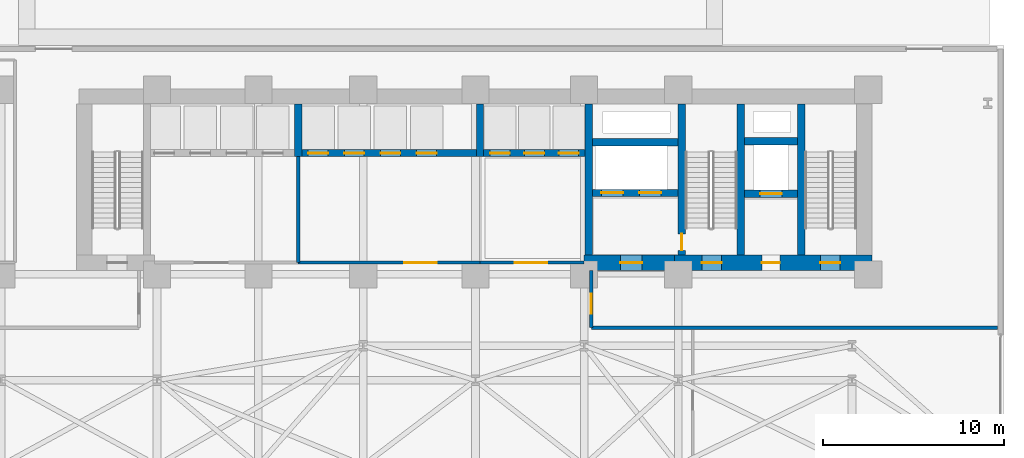
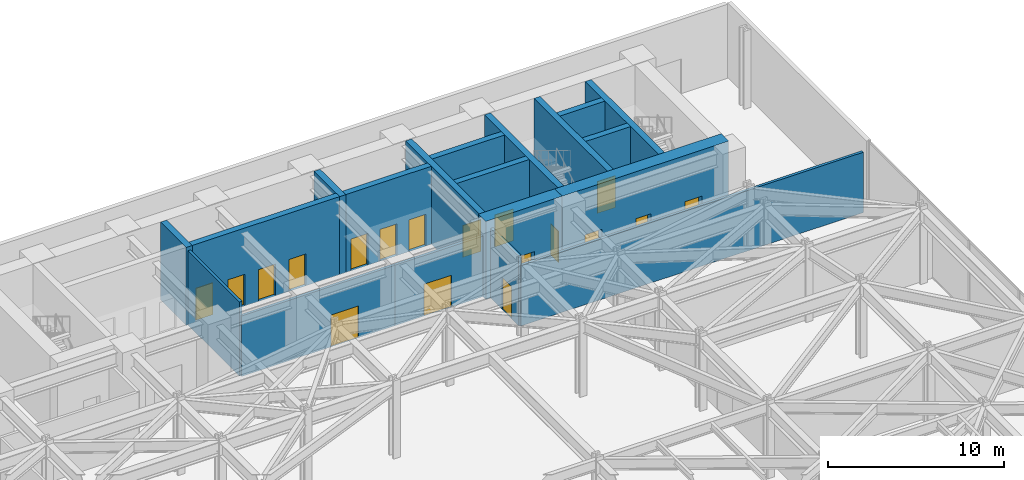
# One storey, part 26 of 31: 19 walls, 18 doors, 18 openings.
"""IFC4 building model written with IfcOpenShell, lengths in metres."""

from ifc_helpers import new_model, si_unit, direction, frame, frame_2d, origin, place, context, subcontext, project, spatial, rectangle, extrude, material, layer, layer_set, type_object, element, fill, save


model = new_model("IFC4")

# Units and contexts
model_context = context("Model", 3, precision=1e-05, world=origin(), true_north=direction((0.0, 1.0)))
body_context = subcontext(model_context, "Body", "Model", "MODEL_VIEW")
ifc_project = project(units=[si_unit("LENGTHUNIT", "METRE"), si_unit("AREAUNIT", "SQUARE_METRE"), si_unit("VOLUMEUNIT", "CUBIC_METRE"), si_unit("PLANEANGLEUNIT", "RADIAN"), si_unit("MASSUNIT", "GRAM", prefix="KILO")], contexts=[model_context])

# Site, building, storey
site_placement = place(None, origin())
site = spatial("IfcSite", under=ifc_project, at=site_placement, CompositionType="ELEMENT")
building_placement = place(site_placement, origin())
building = spatial("IfcBuilding", under=site, at=building_placement, Name="Kravanh Interchange Tower", CompositionType="ELEMENT")
storey_placement = place(building_placement, origin())
storey = spatial("IfcBuildingStorey", under=building, at=storey_placement, Name="L00", CompositionType="ELEMENT", Elevation=0.0)

# Walls
ifc_material_1 = material(Name="Concrete C80/95", Category="concrete")
ifc_layer_1 = layer(ifc_material_1, 0.39990234375)
ifc_layer_set_1 = layer_set([ifc_layer_1], Name="Core Shear Wall Concrete C80/95 400mm")
wall_type_1 = type_object("IfcWallType", Name="Core Shear Wall Concrete C80/95 400mm", PredefinedType="SHEAR", material=ifc_layer_set_1)
for number, where, z_axis, x_axis, name in (
    (1, (62.800048828125, 38.425048828125, 0.0), (0.0, 0.0, 1.0), (0.0, 1.0, 0.0), "L00 Stair ST1 West Shear Wall"),
    (2, (59.449951171875, 38.425048828125, 0.0), (0.0, 0.0, 1.0), (0.0, 1.0, 0.0), "L00 Stair ST2 East Shear Wall"),
):
    element("IfcWall", number, at=place(storey_placement, frame(where, z_axis=z_axis, x_axis=x_axis)), inside=storey, type_object=wall_type_1, Name=name, PredefinedType="SHEAR", context=body_context, shape_type="SweptSolid", body=[
        extrude(rectangle(XDim=8.324951171875, YDim=0.39990234375, at=frame_2d((4.16259765625, 0.0))), origin(), (0.0, 0.0, 1.0), 5.39990234375),
    ])

# Wall, opening, door
wall_1_placement = place(storey_placement, frame((56.199951171875, 38.425048828125, 0.0), z_axis=(0.0, 0.0, 1.0), x_axis=(0.0, 1.0, 0.0)))
wall_1 = element("IfcWall", 3, at=wall_1_placement, inside=storey, type_object=wall_type_1, Name="L00 Stair ST2 West Shear Wall", PredefinedType="SHEAR", context=body_context, shape_type="SweptSolid", body=[
    extrude(rectangle(XDim=8.324951171875, YDim=0.39990234375, at=frame_2d((4.16259765625, 0.0))), origin(), (0.0, 0.0, 1.0), 5.39990234375),
])
opening_1_placement = place(wall_1_placement, frame((0.2548828125, 0.0, 0.0)))
opening_1 = element("IfcOpeningElement", 4, at=opening_1_placement, cuts=wall_1, Name="Opening D-STAIR-90", PredefinedType="OPENING", context=body_context, shape_type="SweptSolid", body=[
    extrude(rectangle(XDim=0.89990234375, YDim=2.14990234375, at=frame_2d((0.449951171875, 1.074951171875))), frame((0.0, 0.2099609375, 0.0), z_axis=(0.0, -1.0, 0.0), x_axis=(1.0, 0.0, 0.0)), (0.0, 0.0, 1.0), 0.419921875),
])
ifc_material_2 = material(Name="Structural Steel S355", Category="steel")
door_type_1 = type_object("IfcDoorType", Name="Fire-Rated Stair Lobby Door 900x2150", OperationType="NOTDEFINED", PredefinedType="DOOR", material=ifc_material_2)
door_1_placement = place(opening_1_placement, origin())
door_1 = element("IfcDoor", 5, at=door_1_placement, inside=storey, type_object=door_type_1, Name="L00 Firefighting Lobby to Stair ST2 Door", OperationType="SINGLE_SWING_LEFT", OverallHeight=2.14990234375, OverallWidth=0.89990234375, PredefinedType="DOOR", context=body_context, shape_type="SweptSolid", body=[
    extrude(rectangle(XDim=0.89990234375, YDim=2.14990234375, at=frame_2d((0.449951171875, 1.074951171875))), frame((0.0, 0.02490234375, 0.0), z_axis=(0.0, -1.0, 0.0), x_axis=(1.0, 0.0, 0.0)), (0.0, 0.0, 1.0), 0.050048828125),
])
fill(opening_1, door_1)

wall_2_placement = place(storey_placement, frame((59.64990234375, 41.800048828125, 0.0), z_axis=(0.0, 0.0, 1.0), x_axis=(1.0, 0.0, 0.0)))
wall_2 = element("IfcWall", 6, at=wall_2_placement, inside=storey, type_object=wall_type_1, Name="L00 Service Lift Shaft South Wall", PredefinedType="SHEAR", context=body_context, shape_type="SweptSolid", body=[
    extrude(rectangle(XDim=2.9501953125, YDim=0.39990234375, at=frame_2d((1.47509765625, 0.0))), origin(), (0.0, 0.0, 1.0), 5.39990234375),
])
opening_2_placement = place(wall_2_placement, frame((0.8701171875, 0.0, 0.0)))
opening_2 = element("IfcOpeningElement", 7, at=opening_2_placement, cuts=wall_2, Name="Opening LD02", PredefinedType="OPENING", context=body_context, shape_type="SweptSolid", body=[
    extrude(rectangle(XDim=1.199951171875, YDim=2.199951171875, at=frame_2d((0.60009765625, 1.10009765625))), frame((0.0, 0.2099609375, 0.0), z_axis=(0.0, -1.0, 0.0), x_axis=(1.0, 0.0, 0.0)), (0.0, 0.0, 1.0), 0.419921875),
])
ifc_material_3 = material(Name="Stainless Steel 316", Category="steel")
door_type_2 = type_object("IfcDoorType", Name="Fire and Service Lift Sliding Landing Door 1200x2200", OperationType="DOUBLE_DOOR_SLIDING", PredefinedType="DOOR", material=ifc_material_3)
door_2_placement = place(opening_2_placement, origin())
door_2 = element("IfcDoor", 8, at=door_2_placement, inside=storey, type_object=door_type_2, Name="L00 Lift LS-01 Landing Door", OperationType="DOUBLE_DOOR_SLIDING", OverallHeight=2.199951171875, OverallWidth=1.199951171875, PredefinedType="DOOR", context=body_context, shape_type="SweptSolid", body=[
    extrude(rectangle(XDim=1.199951171875, YDim=2.199951171875, at=frame_2d((0.60009765625, 1.10009765625))), frame((0.0, 0.02490234375, 0.0), z_axis=(0.0, -1.0, 0.0), x_axis=(1.0, 0.0, 0.0)), (0.0, 0.0, 1.0), 0.050048828125),
])
fill(opening_2, door_2)

# Wall
wall_3_placement = place(storey_placement, frame((59.64990234375, 44.699951171875, 0.0), z_axis=(0.0, 0.0, 1.0), x_axis=(1.0, 0.0, 0.0)))
element("IfcWall", 9, at=wall_3_placement, inside=storey, type_object=wall_type_1, Name="L00 Service Lift Shaft North Wall", PredefinedType="SHEAR", context=body_context, shape_type="SweptSolid", body=[
    extrude(rectangle(XDim=2.9501953125, YDim=0.39990234375, at=frame_2d((1.47509765625, 0.0))), origin(), (0.0, 0.0, 1.0), 5.39990234375),
])

# Wall, openings, doors
wall_4_placement = place(storey_placement, frame((51.25, 41.85009765625, 0.0), z_axis=(0.0, 0.0, 1.0), x_axis=(1.0, 0.0, 0.0)))
wall_4 = element("IfcWall", 10, at=wall_4_placement, inside=storey, type_object=wall_type_1, Name="L00 Fire Lift Shaft South Wall", PredefinedType="SHEAR", context=body_context, shape_type="SweptSolid", body=[
    extrude(rectangle(XDim=4.75, YDim=0.39990234375, at=frame_2d((2.375, 0.0))), origin(), (0.0, 0.0, 1.0), 5.39990234375),
])
opening_3_placement = place(wall_4_placement, frame((0.5, 0.0, 0.0)))
opening_3 = element("IfcOpeningElement", 11, at=opening_3_placement, cuts=wall_4, Name="Opening LD02", PredefinedType="OPENING", context=body_context, shape_type="SweptSolid", body=[
    extrude(rectangle(XDim=1.199951171875, YDim=2.199951171875, at=frame_2d((0.60009765625, 1.10009765625))), frame((0.0, 0.2099609375, 0.0), z_axis=(0.0, -1.0, 0.0), x_axis=(1.0, 0.0, 0.0)), (0.0, 0.0, 1.0), 0.419921875),
])
opening_4_placement = place(wall_4_placement, frame((2.60009765625, 0.0, 0.0)))
opening_4 = element("IfcOpeningElement", 12, at=opening_4_placement, cuts=wall_4, Name="Opening LD02", PredefinedType="OPENING", context=body_context, shape_type="SweptSolid", body=[
    extrude(rectangle(XDim=1.199951171875, YDim=2.199951171875, at=frame_2d((0.60009765625, 1.10009765625))), frame((0.0, 0.2099609375, 0.0), z_axis=(0.0, -1.0, 0.0), x_axis=(1.0, 0.0, 0.0)), (0.0, 0.0, 1.0), 0.419921875),
])
door_3_placement = place(opening_3_placement, origin())
door_3 = element("IfcDoor", 13, at=door_3_placement, inside=storey, type_object=door_type_2, Name="L00 Lift FSAE-01 Landing Door", OperationType="DOUBLE_DOOR_SLIDING", OverallHeight=2.199951171875, OverallWidth=1.199951171875, PredefinedType="DOOR", context=body_context, shape_type="SweptSolid", body=[
    extrude(rectangle(XDim=1.199951171875, YDim=2.199951171875, at=frame_2d((0.60009765625, 1.10009765625))), frame((0.0, 0.02490234375, 0.0), z_axis=(0.0, -1.0, 0.0), x_axis=(1.0, 0.0, 0.0)), (0.0, 0.0, 1.0), 0.050048828125),
])
fill(opening_3, door_3)
door_4_placement = place(opening_4_placement, origin())
door_4 = element("IfcDoor", 14, at=door_4_placement, inside=storey, type_object=door_type_2, Name="L00 Lift FSAE-02 Landing Door", OperationType="DOUBLE_DOOR_SLIDING", OverallHeight=2.199951171875, OverallWidth=1.199951171875, PredefinedType="DOOR", context=body_context, shape_type="SweptSolid", body=[
    extrude(rectangle(XDim=1.199951171875, YDim=2.199951171875, at=frame_2d((0.60009765625, 1.10009765625))), frame((0.0, 0.02490234375, 0.0), z_axis=(0.0, -1.0, 0.0), x_axis=(1.0, 0.0, 0.0)), (0.0, 0.0, 1.0), 0.050048828125),
])
fill(opening_4, door_4)

# Walls
wall_5_placement = place(storey_placement, frame((51.25, 44.64990234375, 0.0), z_axis=(0.0, 0.0, 1.0), x_axis=(1.0, 0.0, 0.0)))
element("IfcWall", 15, at=wall_5_placement, inside=storey, type_object=wall_type_1, Name="L00 Fire Lift Shaft North Wall", PredefinedType="SHEAR", context=body_context, shape_type="SweptSolid", body=[
    extrude(rectangle(XDim=4.75, YDim=0.39990234375, at=frame_2d((2.375, 0.0))), origin(), (0.0, 0.0, 1.0), 5.39990234375),
])
wall_6_placement = place(storey_placement, frame((51.050048828125, 38.425048828125, 0.0), z_axis=(0.0, 0.0, 1.0), x_axis=(0.0, 1.0, 0.0)))
element("IfcWall", 16, at=wall_6_placement, inside=storey, type_object=wall_type_1, Name="L00 Firefighting Lobby West Wall", PredefinedType="SHEAR", context=body_context, shape_type="SweptSolid", body=[
    extrude(rectangle(XDim=8.324951171875, YDim=0.39990234375, at=frame_2d((4.16259765625, 0.0))), origin(), (0.0, 0.0, 1.0), 5.39990234375),
])

# Wall, openings, doors
wall_7_placement = place(storey_placement, frame((45.25, 44.050048828125, 0.0), z_axis=(0.0, 0.0, 1.0), x_axis=(1.0, 0.0, 0.0)))
wall_7 = element("IfcWall", 17, at=wall_7_placement, inside=storey, type_object=wall_type_1, Name="L00 High-Rise Lift Shaft South Wall", PredefinedType="SHEAR", context=body_context, shape_type="SweptSolid", body=[
    extrude(rectangle(XDim=5.60009765625, YDim=0.39990234375, at=frame_2d((2.800048828125, 0.0))), origin(), (0.0, 0.0, 1.0), 5.39990234375),
])
opening_5_placement = place(wall_7_placement, frame((0.35009765625, 0.0, 0.0)))
opening_5 = element("IfcOpeningElement", 18, at=opening_5_placement, cuts=wall_7, Name="Opening LD01", PredefinedType="OPENING", context=body_context, shape_type="SweptSolid", body=[
    extrude(rectangle(XDim=1.10009765625, YDim=2.199951171875, at=frame_2d((0.550048828125, 1.10009765625))), frame((0.0, 0.2099609375, 0.0), z_axis=(0.0, -1.0, 0.0), x_axis=(1.0, 0.0, 0.0)), (0.0, 0.0, 1.0), 0.419921875),
])
opening_6_placement = place(wall_7_placement, frame((2.25, 0.0, 0.0)))
opening_6 = element("IfcOpeningElement", 19, at=opening_6_placement, cuts=wall_7, Name="Opening LD01", PredefinedType="OPENING", context=body_context, shape_type="SweptSolid", body=[
    extrude(rectangle(XDim=1.10009765625, YDim=2.199951171875, at=frame_2d((0.550048828125, 1.10009765625))), frame((0.0, 0.2099609375, 0.0), z_axis=(0.0, -1.0, 0.0), x_axis=(1.0, 0.0, 0.0)), (0.0, 0.0, 1.0), 0.419921875),
])
opening_7_placement = place(wall_7_placement, frame((4.14990234375, 0.0, 0.0)))
opening_7 = element("IfcOpeningElement", 20, at=opening_7_placement, cuts=wall_7, Name="Opening LD01", PredefinedType="OPENING", context=body_context, shape_type="SweptSolid", body=[
    extrude(rectangle(XDim=1.10009765625, YDim=2.199951171875, at=frame_2d((0.550048828125, 1.10009765625))), frame((0.0, 0.2099609375, 0.0), z_axis=(0.0, -1.0, 0.0), x_axis=(1.0, 0.0, 0.0)), (0.0, 0.0, 1.0), 0.419921875),
])
ifc_material_4 = material(Name="Stainless Steel 304", Category="steel")
door_type_3 = type_object("IfcDoorType", Name="Passenger Lift Sliding Landing Door 1100x2200", OperationType="DOUBLE_DOOR_SLIDING", PredefinedType="DOOR", material=ifc_material_4)
door_5_placement = place(opening_5_placement, origin())
door_5 = element("IfcDoor", 21, at=door_5_placement, inside=storey, type_object=door_type_3, Name="L00 Lift LP-H1 Landing Door", OperationType="DOUBLE_DOOR_SLIDING", OverallHeight=2.199951171875, OverallWidth=1.10009765625, PredefinedType="DOOR", context=body_context, shape_type="SweptSolid", body=[
    extrude(rectangle(XDim=1.10009765625, YDim=2.199951171875, at=frame_2d((0.550048828125, 1.10009765625))), frame((0.0, 0.02490234375, 0.0), z_axis=(0.0, -1.0, 0.0), x_axis=(1.0, 0.0, 0.0)), (0.0, 0.0, 1.0), 0.050048828125),
])
fill(opening_5, door_5)
door_6_placement = place(opening_6_placement, origin())
door_6 = element("IfcDoor", 22, at=door_6_placement, inside=storey, type_object=door_type_3, Name="L00 Lift LP-H2 Landing Door", OperationType="DOUBLE_DOOR_SLIDING", OverallHeight=2.199951171875, OverallWidth=1.10009765625, PredefinedType="DOOR", context=body_context, shape_type="SweptSolid", body=[
    extrude(rectangle(XDim=1.10009765625, YDim=2.199951171875, at=frame_2d((0.550048828125, 1.10009765625))), frame((0.0, 0.02490234375, 0.0), z_axis=(0.0, -1.0, 0.0), x_axis=(1.0, 0.0, 0.0)), (0.0, 0.0, 1.0), 0.050048828125),
])
fill(opening_6, door_6)
door_7_placement = place(opening_7_placement, origin())
door_7 = element("IfcDoor", 23, at=door_7_placement, inside=storey, type_object=door_type_3, Name="L00 Lift LP-H3 Landing Door", OperationType="DOUBLE_DOOR_SLIDING", OverallHeight=2.199951171875, OverallWidth=1.10009765625, PredefinedType="DOOR", context=body_context, shape_type="SweptSolid", body=[
    extrude(rectangle(XDim=1.10009765625, YDim=2.199951171875, at=frame_2d((0.550048828125, 1.10009765625))), frame((0.0, 0.02490234375, 0.0), z_axis=(0.0, -1.0, 0.0), x_axis=(1.0, 0.0, 0.0)), (0.0, 0.0, 1.0), 0.050048828125),
])
fill(opening_7, door_7)

# Wall
wall_8_placement = place(storey_placement, frame((45.050048828125, 43.85009765625, 0.0), z_axis=(0.0, 0.0, 1.0), x_axis=(0.0, 1.0, 0.0)))
element("IfcWall", 24, at=wall_8_placement, inside=storey, type_object=wall_type_1, Name="L00 High-Rise Lift Shaft West Wall", PredefinedType="SHEAR", context=body_context, shape_type="SweptSolid", body=[
    extrude(rectangle(XDim=2.89990234375, YDim=0.39990234375, at=frame_2d((1.449951171875, 0.0))), origin(), (0.0, 0.0, 1.0), 5.39990234375),
])

# Wall, openings, doors
wall_9_placement = place(storey_placement, frame((35.199951171875, 44.050048828125, 0.0), z_axis=(0.0, 0.0, 1.0), x_axis=(1.0, 0.0, 0.0)))
wall_9 = element("IfcWall", 25, at=wall_9_placement, inside=storey, type_object=wall_type_1, Name="L00 Mid-Rise Lift Shaft South Wall", PredefinedType="SHEAR", context=body_context, shape_type="SweptSolid", body=[
    extrude(rectangle(XDim=9.650146484375, YDim=0.39990234375, at=frame_2d((4.8251953125, 0.0))), origin(), (0.0, 0.0, 1.0), 5.39990234375),
])
opening_8_placement = place(wall_9_placement, frame((0.35009765625, 0.0, 0.0)))
opening_8 = element("IfcOpeningElement", 26, at=opening_8_placement, cuts=wall_9, Name="Opening LD01", PredefinedType="OPENING", context=body_context, shape_type="SweptSolid", body=[
    extrude(rectangle(XDim=1.10009765625, YDim=2.199951171875, at=frame_2d((0.550048828125, 1.10009765625))), frame((0.0, 0.2099609375, 0.0), z_axis=(0.0, -1.0, 0.0), x_axis=(1.0, 0.0, 0.0)), (0.0, 0.0, 1.0), 0.419921875),
])
opening_9_placement = place(wall_9_placement, frame((2.35009765625, 0.0, 0.0)))
opening_9 = element("IfcOpeningElement", 27, at=opening_9_placement, cuts=wall_9, Name="Opening LD01", PredefinedType="OPENING", context=body_context, shape_type="SweptSolid", body=[
    extrude(rectangle(XDim=1.10009765625, YDim=2.199951171875, at=frame_2d((0.550048828125, 1.10009765625))), frame((0.0, 0.2099609375, 0.0), z_axis=(0.0, -1.0, 0.0), x_axis=(1.0, 0.0, 0.0)), (0.0, 0.0, 1.0), 0.419921875),
])
opening_10_placement = place(wall_9_placement, frame((4.35009765625, 0.0, 0.0)))
opening_10 = element("IfcOpeningElement", 28, at=opening_10_placement, cuts=wall_9, Name="Opening LD01", PredefinedType="OPENING", context=body_context, shape_type="SweptSolid", body=[
    extrude(rectangle(XDim=1.10009765625, YDim=2.199951171875, at=frame_2d((0.550048828125, 1.10009765625))), frame((0.0, 0.2099609375, 0.0), z_axis=(0.0, -1.0, 0.0), x_axis=(1.0, 0.0, 0.0)), (0.0, 0.0, 1.0), 0.419921875),
])
opening_11_placement = place(wall_9_placement, frame((6.35009765625, 0.0, 0.0)))
opening_11 = element("IfcOpeningElement", 29, at=opening_11_placement, cuts=wall_9, Name="Opening LD01", PredefinedType="OPENING", context=body_context, shape_type="SweptSolid", body=[
    extrude(rectangle(XDim=1.10009765625, YDim=2.199951171875, at=frame_2d((0.550048828125, 1.10009765625))), frame((0.0, 0.2099609375, 0.0), z_axis=(0.0, -1.0, 0.0), x_axis=(1.0, 0.0, 0.0)), (0.0, 0.0, 1.0), 0.419921875),
])
door_8_placement = place(opening_8_placement, origin())
door_8 = element("IfcDoor", 30, at=door_8_placement, inside=storey, type_object=door_type_3, Name="L00 Lift LP-M1 Landing Door", OperationType="DOUBLE_DOOR_SLIDING", OverallHeight=2.199951171875, OverallWidth=1.10009765625, PredefinedType="DOOR", context=body_context, shape_type="SweptSolid", body=[
    extrude(rectangle(XDim=1.10009765625, YDim=2.199951171875, at=frame_2d((0.550048828125, 1.10009765625))), frame((0.0, 0.02490234375, 0.0), z_axis=(0.0, -1.0, 0.0), x_axis=(1.0, 0.0, 0.0)), (0.0, 0.0, 1.0), 0.050048828125),
])
fill(opening_8, door_8)
door_9_placement = place(opening_9_placement, origin())
door_9 = element("IfcDoor", 31, at=door_9_placement, inside=storey, type_object=door_type_3, Name="L00 Lift LP-M2 Landing Door", OperationType="DOUBLE_DOOR_SLIDING", OverallHeight=2.199951171875, OverallWidth=1.10009765625, PredefinedType="DOOR", context=body_context, shape_type="SweptSolid", body=[
    extrude(rectangle(XDim=1.10009765625, YDim=2.199951171875, at=frame_2d((0.550048828125, 1.10009765625))), frame((0.0, 0.02490234375, 0.0), z_axis=(0.0, -1.0, 0.0), x_axis=(1.0, 0.0, 0.0)), (0.0, 0.0, 1.0), 0.050048828125),
])
fill(opening_9, door_9)
door_10_placement = place(opening_10_placement, origin())
door_10 = element("IfcDoor", 32, at=door_10_placement, inside=storey, type_object=door_type_3, Name="L00 Lift LP-M3 Landing Door", OperationType="DOUBLE_DOOR_SLIDING", OverallHeight=2.199951171875, OverallWidth=1.10009765625, PredefinedType="DOOR", context=body_context, shape_type="SweptSolid", body=[
    extrude(rectangle(XDim=1.10009765625, YDim=2.199951171875, at=frame_2d((0.550048828125, 1.10009765625))), frame((0.0, 0.02490234375, 0.0), z_axis=(0.0, -1.0, 0.0), x_axis=(1.0, 0.0, 0.0)), (0.0, 0.0, 1.0), 0.050048828125),
])
fill(opening_10, door_10)
door_11_placement = place(opening_11_placement, origin())
door_11 = element("IfcDoor", 33, at=door_11_placement, inside=storey, type_object=door_type_3, Name="L00 Lift LP-M4 Landing Door", OperationType="DOUBLE_DOOR_SLIDING", OverallHeight=2.199951171875, OverallWidth=1.10009765625, PredefinedType="DOOR", context=body_context, shape_type="SweptSolid", body=[
    extrude(rectangle(XDim=1.10009765625, YDim=2.199951171875, at=frame_2d((0.550048828125, 1.10009765625))), frame((0.0, 0.02490234375, 0.0), z_axis=(0.0, -1.0, 0.0), x_axis=(1.0, 0.0, 0.0)), (0.0, 0.0, 1.0), 0.050048828125),
])
fill(opening_11, door_11)

# Wall
wall_10_placement = place(storey_placement, frame((35.0, 43.85009765625, 0.0), z_axis=(0.0, 0.0, 1.0), x_axis=(0.0, 1.0, 0.0)))
element("IfcWall", 34, at=wall_10_placement, inside=storey, type_object=wall_type_1, Name="L00 Mid-Rise Lift Shaft West Wall", PredefinedType="SHEAR", context=body_context, shape_type="SweptSolid", body=[
    extrude(rectangle(XDim=2.89990234375, YDim=0.39990234375, at=frame_2d((1.449951171875, 0.0))), origin(), (0.0, 0.0, 1.0), 5.39990234375),
])

# Wall, openings, doors
ifc_material_5 = material(Name="Concrete C80/95", Category="concrete")
ifc_layer_2 = layer(ifc_material_5, 0.85009765625)
ifc_layer_set_2 = layer_set([ifc_layer_2], Name="Core Shear Wall Concrete C80/95 850mm")
wall_type_2 = type_object("IfcWallType", Name="Core Shear Wall Concrete C80/95 850mm", PredefinedType="SHEAR", material=ifc_layer_set_2)
wall_11_placement = place(storey_placement, frame((55.800048828125, 38.0, 0.0), z_axis=(0.0, 0.0, 1.0), x_axis=(1.0, 0.0, 0.0)))
wall_11 = element("IfcWall", 35, at=wall_11_placement, inside=storey, type_object=wall_type_2, Name="L00 East Core South Shear Wall", PredefinedType="SHEAR", context=body_context, shape_type="SweptSolid", body=[
    extrude(rectangle(XDim=10.89990234375, YDim=0.85009765625, at=frame_2d((5.449951171875, 0.0))), origin(), (0.0, 0.0, 1.0), 5.39990234375),
])
opening_12_placement = place(wall_11_placement, frame((1.5, 0.0, 0.0)))
opening_12 = element("IfcOpeningElement", 36, at=opening_12_placement, cuts=wall_11, Name="Opening D-STAIR-110", PredefinedType="OPENING", context=body_context, shape_type="SweptSolid", body=[
    extrude(rectangle(XDim=1.10009765625, YDim=2.199951171875, at=frame_2d((0.550048828125, 1.10009765625))), frame((0.0, 0.43505859375, 0.0), z_axis=(0.0, -1.0, 0.0), x_axis=(1.0, 0.0, 0.0)), (0.0, 0.0, 1.0), 0.8701171875),
])
opening_13_placement = place(wall_11_placement, frame((4.820068359375, 0.0, 0.0)))
opening_13 = element("IfcOpeningElement", 37, at=opening_13_placement, cuts=wall_11, Name="Opening D-HOTEL-100", PredefinedType="OPENING", context=body_context, shape_type="SweptSolid", body=[
    extrude(rectangle(XDim=1.0, YDim=2.14990234375, at=frame_2d((0.5, 1.074951171875))), frame((0.0, 0.43505859375, 0.0), z_axis=(0.0, -1.0, 0.0), x_axis=(1.0, 0.0, 0.0)), (0.0, 0.0, 1.0), 0.8701171875),
])
opening_14_placement = place(wall_11_placement, frame((8.050048828125, 0.0, 0.0)))
opening_14 = element("IfcOpeningElement", 38, at=opening_14_placement, cuts=wall_11, Name="Opening D-STAIR-110", PredefinedType="OPENING", context=body_context, shape_type="SweptSolid", body=[
    extrude(rectangle(XDim=1.10009765625, YDim=2.199951171875, at=frame_2d((0.550048828125, 1.10009765625))), frame((0.0, 0.43505859375, 0.0), z_axis=(0.0, -1.0, 0.0), x_axis=(1.0, 0.0, 0.0)), (0.0, 0.0, 1.0), 0.8701171875),
])
ifc_material_6 = material(Name="Structural Steel S355", Category="steel")
door_type_4 = type_object("IfcDoorType", Name="Fire-Rated Exit Stair Door 1100x2200", OperationType="NOTDEFINED", PredefinedType="DOOR", material=ifc_material_6)
door_12_placement = place(opening_12_placement, origin())
door_12 = element("IfcDoor", 39, at=door_12_placement, inside=storey, type_object=door_type_4, Name="L00 Exit Stair ST2 Door", OperationType="SINGLE_SWING_RIGHT", OverallHeight=2.199951171875, OverallWidth=1.10009765625, PredefinedType="DOOR", context=body_context, shape_type="SweptSolid", body=[
    extrude(rectangle(XDim=1.10009765625, YDim=2.199951171875, at=frame_2d((0.550048828125, 1.10009765625))), frame((0.0, 0.02490234375, 0.0), z_axis=(0.0, -1.0, 0.0), x_axis=(1.0, 0.0, 0.0)), (0.0, 0.0, 1.0), 0.050048828125),
])
fill(opening_12, door_12)
door_13_placement = place(opening_14_placement, origin())
door_13 = element("IfcDoor", 40, at=door_13_placement, inside=storey, type_object=door_type_4, Name="L00 Exit Stair ST1 Door", OperationType="SINGLE_SWING_RIGHT", OverallHeight=2.199951171875, OverallWidth=1.10009765625, PredefinedType="DOOR", context=body_context, shape_type="SweptSolid", body=[
    extrude(rectangle(XDim=1.10009765625, YDim=2.199951171875, at=frame_2d((0.550048828125, 1.10009765625))), frame((0.0, 0.02490234375, 0.0), z_axis=(0.0, -1.0, 0.0), x_axis=(1.0, 0.0, 0.0)), (0.0, 0.0, 1.0), 0.050048828125),
])
fill(opening_14, door_13)
ifc_material_7 = material(Name="Fire-Rated Solid Timber Leaf", Category="wood")
door_type_5 = type_object("IfcDoorType", Name="Fire-Rated Suite Entrance Door 1000x2150", OperationType="NOTDEFINED", PredefinedType="DOOR", material=ifc_material_7)
door_14_placement = place(opening_13_placement, origin())
door_14 = element("IfcDoor", 41, at=door_14_placement, inside=storey, type_object=door_type_5, Name="L00 Service Lift Lobby Door", OperationType="SINGLE_SWING_RIGHT", OverallHeight=2.14990234375, OverallWidth=1.0, PredefinedType="DOOR", context=body_context, shape_type="SweptSolid", body=[
    extrude(rectangle(XDim=1.0, YDim=2.14990234375, at=frame_2d((0.5, 1.074951171875))), frame((0.0, 0.02490234375, 0.0), z_axis=(0.0, -1.0, 0.0), x_axis=(1.0, 0.0, 0.0)), (0.0, 0.0, 1.0), 0.050048828125),
])
fill(opening_13, door_14)

# Wall, opening, door
wall_12_placement = place(storey_placement, frame((50.800048828125, 38.0, 0.0), z_axis=(0.0, 0.0, 1.0), x_axis=(1.0, 0.0, 0.0)))
wall_12 = element("IfcWall", 42, at=wall_12_placement, inside=storey, type_object=wall_type_2, Name="L00 Firefighting Lobby South Shear Wall", PredefinedType="SHEAR", context=body_context, shape_type="SweptSolid", body=[
    extrude(rectangle(XDim=5.0, YDim=0.85009765625, at=frame_2d((2.5, 0.0))), origin(), (0.0, 0.0, 1.0), 5.39990234375),
])
opening_15_placement = place(wall_12_placement, frame((2.0, 0.0, 0.0)))
opening_15 = element("IfcOpeningElement", 43, at=opening_15_placement, cuts=wall_12, Name="Opening D-FSAE-120", PredefinedType="OPENING", context=body_context, shape_type="SweptSolid", body=[
    extrude(rectangle(XDim=1.199951171875, YDim=2.199951171875, at=frame_2d((0.60009765625, 1.10009765625))), frame((0.0, 0.43505859375, 0.0), z_axis=(0.0, -1.0, 0.0), x_axis=(1.0, 0.0, 0.0)), (0.0, 0.0, 1.0), 0.8701171875),
])
ifc_material_8 = material(Name="Structural Steel S355", Category="steel")
door_type_6 = type_object("IfcDoorType", Name="Fire-Rated Refuge and FSAE Door 1200x2200", OperationType="NOTDEFINED", PredefinedType="DOOR", material=ifc_material_8)
door_15_placement = place(opening_15_placement, origin())
door_15 = element("IfcDoor", 44, at=door_15_placement, inside=storey, type_object=door_type_6, Name="L00 Firefighting Lobby Corridor Door", OperationType="SINGLE_SWING_RIGHT", OverallHeight=2.199951171875, OverallWidth=1.199951171875, PredefinedType="DOOR", context=body_context, shape_type="SweptSolid", body=[
    extrude(rectangle(XDim=1.199951171875, YDim=2.199951171875, at=frame_2d((0.60009765625, 1.10009765625))), frame((0.0, 0.02490234375, 0.0), z_axis=(0.0, -1.0, 0.0), x_axis=(1.0, 0.0, 0.0)), (0.0, 0.0, 1.0), 0.050048828125),
])
fill(opening_15, door_15)

ifc_material_9 = material(Name="Autoclaved Aerated Concrete C30/37 Blockwork", Category="masonry")
ifc_layer_3 = layer(ifc_material_9, 0.179931640625)
ifc_layer_set_3 = layer_set([ifc_layer_3], Name="Fire-Rated Lobby and Corridor Wall Concrete C30/37 180mm")
wall_type_3 = type_object("IfcWallType", Name="Fire-Rated Lobby and Corridor Wall Concrete C30/37 180mm", PredefinedType="STANDARD", material=ifc_layer_set_3)
wall_13_placement = place(storey_placement, frame((45.050048828125, 38.0, 0.0), z_axis=(0.0, 0.0, 1.0), x_axis=(1.0, 0.0, 0.0)))
wall_13 = element("IfcWall", 45, at=wall_13_placement, inside=storey, type_object=wall_type_3, Name="L00 High-Rise Lift Lobby Wall 1", PredefinedType="STANDARD", context=body_context, shape_type="SweptSolid", body=[
    extrude(rectangle(XDim=5.75, YDim=0.179931640625, at=frame_2d((2.875, 0.0))), origin(), (0.0, 0.0, 1.0), 4.181884765625),
])
opening_16_placement = place(wall_13_placement, frame((1.907958984375, 0.0, 0.0)))
opening_16 = element("IfcOpeningElement", 46, at=opening_16_placement, cuts=wall_13, Name="Opening DBL-180", PredefinedType="OPENING", context=body_context, shape_type="SweptSolid", body=[
    extrude(rectangle(XDim=1.800048828125, YDim=2.199951171875, at=frame_2d((0.89990234375, 1.10009765625))), frame((0.0, 0.10009765625, 0.0), z_axis=(0.0, -1.0, 0.0), x_axis=(1.0, 0.0, 0.0)), (0.0, 0.0, 1.0), 0.199951171875),
])
ifc_material_10 = material(Name="Structural Steel S355", Category="steel")
door_type_7 = type_object("IfcDoorType", Name="Lift Lobby Double Fire Door 1800x2200", OperationType="DOUBLE_DOOR_SINGLE_SWING", PredefinedType="DOOR", material=ifc_material_10)
door_16_placement = place(opening_16_placement, origin())
door_16 = element("IfcDoor", 47, at=door_16_placement, inside=storey, type_object=door_type_7, Name="L00 High-Rise Lift Lobby Double Door", OperationType="DOUBLE_DOOR_SINGLE_SWING", OverallHeight=2.199951171875, OverallWidth=1.800048828125, PredefinedType="DOOR", context=body_context, shape_type="SweptSolid", body=[
    extrude(rectangle(XDim=1.800048828125, YDim=2.199951171875, at=frame_2d((0.89990234375, 1.10009765625))), frame((0.0, 0.02490234375, 0.0), z_axis=(0.0, -1.0, 0.0), x_axis=(1.0, 0.0, 0.0)), (0.0, 0.0, 1.0), 0.050048828125),
])
fill(opening_16, door_16)

# Wall
wall_14_placement = place(storey_placement, frame((35.0, 38.0, 0.0), z_axis=(0.0, 0.0, 1.0), x_axis=(0.0, 1.0, 0.0)))
element("IfcWall", 48, at=wall_14_placement, inside=storey, type_object=wall_type_3, Name="L00 Low-Rise Lobby East Wall 2", PredefinedType="STANDARD", context=body_context, shape_type="SweptSolid", body=[
    extrude(rectangle(XDim=5.85009765625, YDim=0.179931640625, at=frame_2d((2.925048828125, 0.0))), origin(), (0.0, 0.0, 1.0), 5.1298828125),
])

# Wall, opening, door
wall_15_placement = place(storey_placement, frame((35.0, 38.0, 0.0), z_axis=(0.0, 0.0, 1.0), x_axis=(1.0, 0.0, 0.0)))
wall_15 = element("IfcWall", 49, at=wall_15_placement, inside=storey, type_object=wall_type_3, Name="L00 Mid-Rise Lobby South Wall 4", PredefinedType="STANDARD", context=body_context, shape_type="SweptSolid", body=[
    extrude(rectangle(XDim=10.050048828125, YDim=0.179931640625, at=frame_2d((5.02490234375, 0.0))), origin(), (0.0, 0.0, 1.0), 4.181884765625),
])
opening_17_placement = place(wall_15_placement, frame((5.85791015625, 0.0, 0.0)))
opening_17 = element("IfcOpeningElement", 50, at=opening_17_placement, cuts=wall_15, Name="Opening DBL-180", PredefinedType="OPENING", context=body_context, shape_type="SweptSolid", body=[
    extrude(rectangle(XDim=1.800048828125, YDim=2.199951171875, at=frame_2d((0.89990234375, 1.10009765625))), frame((0.0, 0.10009765625, 0.0), z_axis=(0.0, -1.0, 0.0), x_axis=(1.0, 0.0, 0.0)), (0.0, 0.0, 1.0), 0.199951171875),
])
door_17_placement = place(opening_17_placement, origin())
door_17 = element("IfcDoor", 51, at=door_17_placement, inside=storey, type_object=door_type_7, Name="L00 Mid-Rise Lift Lobby Door", OperationType="DOUBLE_DOOR_SINGLE_SWING", OverallHeight=2.199951171875, OverallWidth=1.800048828125, PredefinedType="DOOR", context=body_context, shape_type="SweptSolid", body=[
    extrude(rectangle(XDim=1.800048828125, YDim=2.199951171875, at=frame_2d((0.89990234375, 1.10009765625))), frame((0.0, 0.02490234375, 0.0), z_axis=(0.0, -1.0, 0.0), x_axis=(1.0, 0.0, 0.0)), (0.0, 0.0, 1.0), 0.050048828125),
])
fill(opening_17, door_17)

# Wall
wall_16_placement = place(storey_placement, frame((51.199951171875, 34.39990234375, 0.0), z_axis=(0.0, 0.0, 1.0), x_axis=(1.0, 0.0, 0.0)))
element("IfcWall", 52, at=wall_16_placement, inside=storey, type_object=wall_type_3, Name="L00 East Exit Passageway Rated Wall 10", PredefinedType="STANDARD", context=body_context, shape_type="SweptSolid", body=[
    extrude(rectangle(XDim=22.43505859375, YDim=0.179931640625, at=frame_2d((11.217529296875, 0.0))), origin(), (0.0, 0.0, 1.0), 4.181884765625),
])

# Wall, opening, door
wall_17_placement = place(storey_placement, frame((51.199951171875, 34.39990234375, 0.0), z_axis=(0.0, 0.0, 1.0), x_axis=(0.0, 1.0, 0.0)))
wall_17 = element("IfcWall", 53, at=wall_17_placement, inside=storey, type_object=wall_type_3, Name="L00 East Exit Passageway Vestibule Wall 11", PredefinedType="STANDARD", context=body_context, shape_type="SweptSolid", body=[
    extrude(rectangle(XDim=3.1669921875, YDim=0.179931640625, at=frame_2d((1.58349609375, 0.0))), origin(), (0.0, 0.0, 1.0), 4.822998046875),
])
opening_18_placement = place(wall_17_placement, frame((0.78466796875, 0.0, 0.0)))
opening_18 = element("IfcOpeningElement", 54, at=opening_18_placement, cuts=wall_17, Name="Opening D-STAIR-110", PredefinedType="OPENING", context=body_context, shape_type="SweptSolid", body=[
    extrude(rectangle(XDim=1.10009765625, YDim=2.199951171875, at=frame_2d((0.550048828125, 1.10009765625))), frame((0.0, 0.10009765625, 0.0), z_axis=(0.0, -1.0, 0.0), x_axis=(1.0, 0.0, 0.0)), (0.0, 0.0, 1.0), 0.199951171875),
])
door_18_placement = place(opening_18_placement, origin())
door_18 = element("IfcDoor", 55, at=door_18_placement, inside=storey, type_object=door_type_4, Name="L00 East Protected Exit Passageway Fire Door", OperationType="SINGLE_SWING_RIGHT", OverallHeight=2.199951171875, OverallWidth=1.10009765625, PredefinedType="DOOR", context=body_context, shape_type="SweptSolid", body=[
    extrude(rectangle(XDim=1.10009765625, YDim=2.199951171875, at=frame_2d((0.550048828125, 1.10009765625))), frame((0.0, 0.02490234375, 0.0), z_axis=(0.0, -1.0, 0.0), x_axis=(1.0, 0.0, 0.0)), (0.0, 0.0, 1.0), 0.050048828125),
])
fill(opening_18, door_18)

save(model, "model.ifc")
